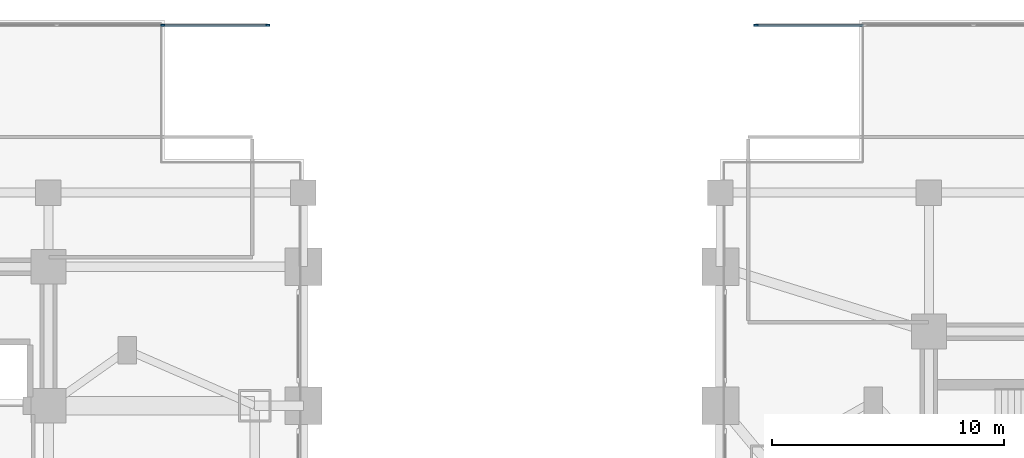
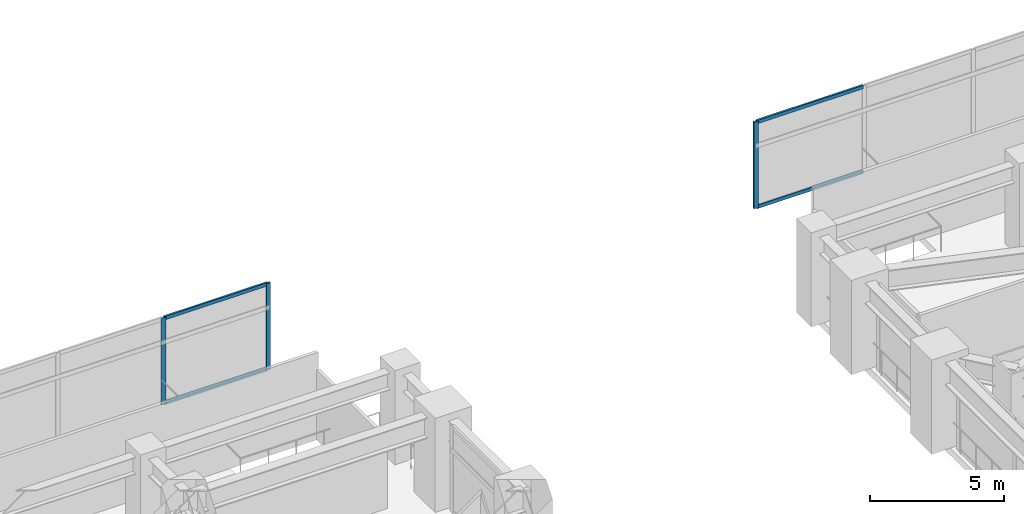
# One storey, part 8 of 31: 7 members, 2 elements without a shape of their own.
"""IFC4 building model written with IfcOpenShell, lengths in metres."""

from ifc_helpers import new_model, si_unit, direction, frame, origin, origin_2d, place, context, subcontext, project, spatial, rectangle, extrude, material, material_profile, profile_set, type_object, element, aggregate, save


model = new_model("IFC4")

# Units and contexts
model_context = context("Model", 3, precision=1e-05, world=origin(), true_north=direction((0.0, 1.0)))
body_context = subcontext(model_context, "Body", "Model", "MODEL_VIEW")
ifc_project = project(units=[si_unit("LENGTHUNIT", "METRE"), si_unit("AREAUNIT", "SQUARE_METRE"), si_unit("VOLUMEUNIT", "CUBIC_METRE"), si_unit("PLANEANGLEUNIT", "RADIAN"), si_unit("MASSUNIT", "GRAM", prefix="KILO")], contexts=[model_context])

# Site, building, storey
site_placement = place(None, origin())
site = spatial("IfcSite", under=ifc_project, at=site_placement, CompositionType="ELEMENT")
building_placement = place(site_placement, origin())
building = spatial("IfcBuilding", under=site, at=building_placement, Name="Mirazonda Arch Towers", CompositionType="ELEMENT")
storey_placement = place(building_placement, frame((0.0, 0.0, 5.199951171875)))
storey = spatial("IfcBuildingStorey", under=building, at=storey_placement, Name="L01", CompositionType="ELEMENT", Elevation=5.199951171875)

# Curtain wall, members
ifc_material_1 = material(Name="Anodised Aluminium and Low-E Glass", Category="aluminium")
curtain_wall_type = type_object("IfcCurtainWallType", Name="CW-POD-STORE", PredefinedType="NOTDEFINED", material=ifc_material_1)
curtain_wall_1_placement = place(storey_placement, origin())
curtain_wall_1 = element("IfcCurtainWall", 1, at=curtain_wall_1_placement, inside=storey, type_object=curtain_wall_type, Name="L01 Curtain Wall CW-L01-WN", PredefinedType="NOTDEFINED")
ifc_material_2 = material(Name="Anodised Aluminium Alloy", Category="aluminium")
ifc_material_profile_1 = material_profile(ifc_material_2, rectangle(XDim=0.080078125, YDim=0.179931640625, at=origin_2d()), Name="ALU-MULL-80x180")
ifc_profile_set_1 = profile_set([ifc_material_profile_1], Name="Anodised Aluminium Alloy")
member_type_1 = type_object("IfcMemberType", Name="MULL-CW-POD-STORE", PredefinedType="MULLION", material=ifc_profile_set_1)
member_1_placement = place(storey_placement, frame((34.928466796875, 54.030029296875, 0.0), z_axis=(0.0, 0.0, 1.0), x_axis=(0.0, 1.0, 0.0)))
member_1 = element("IfcMember", 2, at=member_1_placement, type_object=member_type_1, Name="CW-102 mullion 7", PredefinedType="MULLION", context=body_context, shape_type="SweptSolid", body=[
    extrude(rectangle(XDim=0.080078125, YDim=0.179931640625, at=origin_2d()), origin(), (0.0, 0.0, 1.0), 3.9599609375),
])
member_2_placement = place(storey_placement, frame((39.4599609375, 54.030029296875, 0.0), z_axis=(0.0, 0.0, 1.0), x_axis=(0.0, 1.0, 0.0)))
member_2 = element("IfcMember", 3, at=member_2_placement, type_object=member_type_1, Name="CW-102 mullion 8", PredefinedType="MULLION", context=body_context, shape_type="SweptSolid", body=[
    extrude(rectangle(XDim=0.080078125, YDim=0.179931640625, at=origin_2d()), origin(), (0.0, 0.0, 1.0), 3.9599609375),
])

# Curtain wall, member
curtain_wall_2_placement = place(storey_placement, origin())
curtain_wall_2 = element("IfcCurtainWall", 4, at=curtain_wall_2_placement, inside=storey, type_object=curtain_wall_type, Name="L01 Curtain Wall CW-L01-EN", PredefinedType="NOTDEFINED")
member_3_placement = place(storey_placement, frame((60.5400390625, 54.030029296875, 0.0), z_axis=(0.0, 0.0, 1.0), x_axis=(0.0, 1.0, 0.0)))
member_3 = element("IfcMember", 5, at=member_3_placement, type_object=member_type_1, Name="CW-102 mullion 1", PredefinedType="MULLION", context=body_context, shape_type="SweptSolid", body=[
    extrude(rectangle(XDim=0.080078125, YDim=0.179931640625, at=origin_2d()), origin(), (0.0, 0.0, 1.0), 3.9599609375),
])

# Member
ifc_material_profile_2 = material_profile(ifc_material_2, rectangle(XDim=0.080078125, YDim=0.159912109375, at=origin_2d()), Name="ALU-TRAN-80x160")
ifc_profile_set_2 = profile_set([ifc_material_profile_2], Name="Anodised Aluminium Alloy")
member_type_2 = type_object("IfcMemberType", Name="TRAN-CW-POD-STORE", PredefinedType="USERDEFINED", material=ifc_profile_set_2)
member_4_placement = place(storey_placement, frame((34.968505859375, 54.030029296875, 0.0400390625), z_axis=(1.0, 0.0, 0.0), x_axis=(0.0, 1.0, 0.0)))
member_4 = element("IfcMember", 6, at=member_4_placement, type_object=member_type_2, Name="CW-102 transom 7.1", ObjectType="TRANSOM", PredefinedType="USERDEFINED", context=body_context, shape_type="SweptSolid", body=[
    extrude(rectangle(XDim=0.080078125, YDim=0.159912109375, at=origin_2d()), origin(), (0.0, 0.0, 1.0), 4.451416015625),
])

member_5_placement = place(storey_placement, frame((34.968505859375, 54.030029296875, 3.920166015625), z_axis=(1.0, 0.0, 0.0), x_axis=(0.0, 1.0, 0.0)))
member_5 = element("IfcMember", 7, at=member_5_placement, type_object=member_type_2, Name="CW-102 transom 7.2", ObjectType="TRANSOM", PredefinedType="USERDEFINED", context=body_context, shape_type="SweptSolid", body=[
    extrude(rectangle(XDim=0.080078125, YDim=0.159912109375, at=origin_2d()), origin(), (0.0, 0.0, 1.0), 4.451416015625),
])

aggregate(curtain_wall_1, [member_1, member_2, member_4, member_5])

member_6_placement = place(storey_placement, frame((60.580078125, 54.030029296875, 0.0400390625), z_axis=(1.0, 0.0, 0.0), x_axis=(0.0, 1.0, 0.0)))
member_6 = element("IfcMember", 8, at=member_6_placement, type_object=member_type_2, Name="CW-102 transom 1.1", ObjectType="TRANSOM", PredefinedType="USERDEFINED", context=body_context, shape_type="SweptSolid", body=[
    extrude(rectangle(XDim=0.080078125, YDim=0.159912109375, at=origin_2d()), origin(), (0.0, 0.0, 1.0), 4.59423828125),
])

member_7_placement = place(storey_placement, frame((60.580078125, 54.030029296875, 3.920166015625), z_axis=(1.0, 0.0, 0.0), x_axis=(0.0, 1.0, 0.0)))
member_7 = element("IfcMember", 9, at=member_7_placement, type_object=member_type_2, Name="CW-102 transom 1.2", ObjectType="TRANSOM", PredefinedType="USERDEFINED", context=body_context, shape_type="SweptSolid", body=[
    extrude(rectangle(XDim=0.080078125, YDim=0.159912109375, at=origin_2d()), origin(), (0.0, 0.0, 1.0), 4.59423828125),
])

aggregate(curtain_wall_2, [member_3, member_6, member_7])

save(model, "model.ifc")
